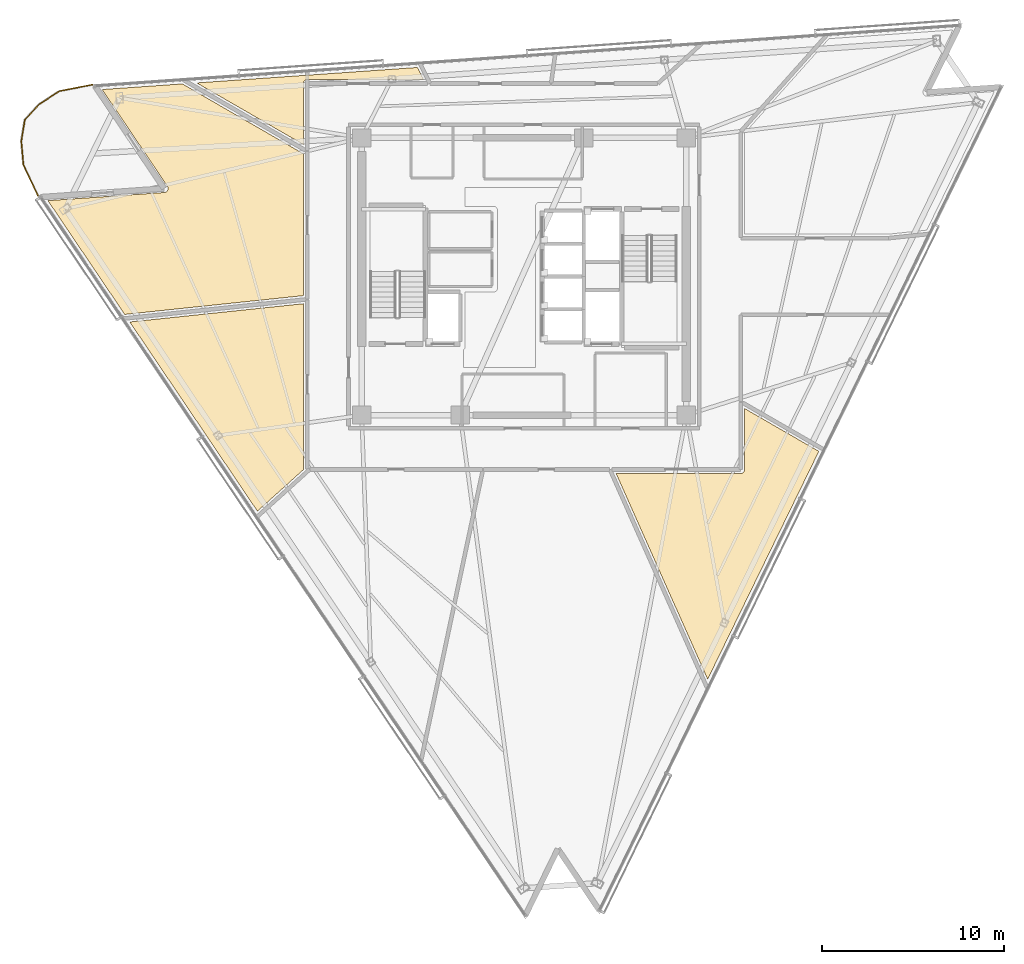
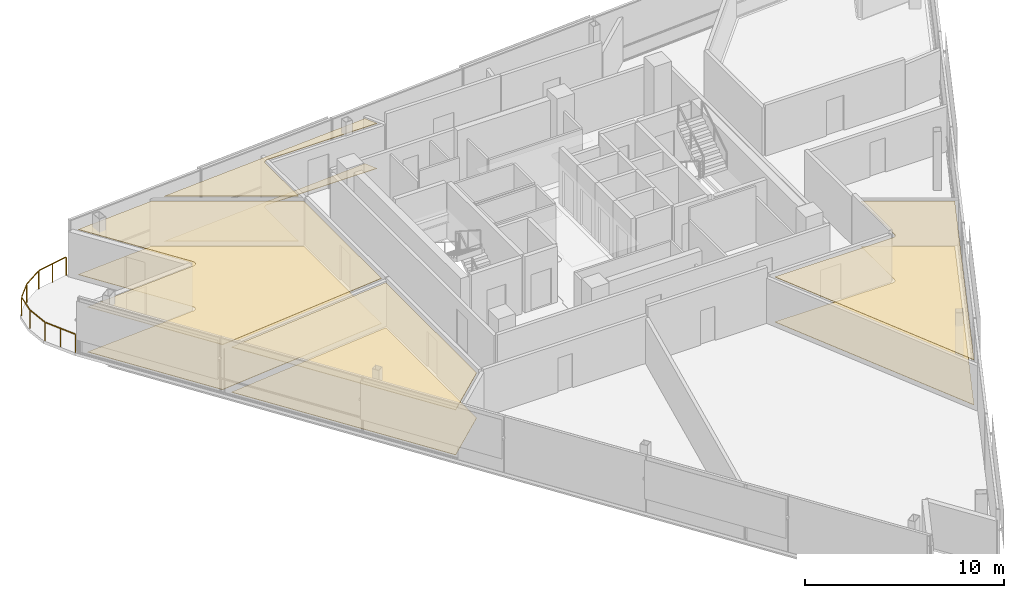
# One storey, part 14 of 16: 8 coverings, 1 railing.
"""IFC4 building model written with IfcOpenShell, lengths in metres."""

from ifc_helpers import new_model, si_unit, direction, frame, origin, origin_2d, place, context, subcontext, project, spatial, polyline, rectangle, outline, extrude, material, layer, layer_set, type_object, element, save


model = new_model("IFC4")

# Units and contexts
model_context = context("Model", 3, precision=1e-05, world=origin(), true_north=direction((0.0, 1.0)))
body_context = subcontext(model_context, "Body", "Model", "MODEL_VIEW")
ifc_project = project(units=[si_unit("LENGTHUNIT", "METRE"), si_unit("AREAUNIT", "SQUARE_METRE"), si_unit("VOLUMEUNIT", "CUBIC_METRE"), si_unit("PLANEANGLEUNIT", "RADIAN"), si_unit("MASSUNIT", "GRAM", prefix="KILO")], contexts=[model_context])

# Site, building, storey
site_placement = place(None, origin())
site = spatial("IfcSite", under=ifc_project, at=site_placement, CompositionType="ELEMENT")
building_placement = place(site_placement, origin())
building = spatial("IfcBuilding", under=site, at=building_placement, Name="Tharavind Bronze Gate", CompositionType="ELEMENT")
storey_placement = place(building_placement, frame((0.0, 0.0, 260.60009765625)))
storey = spatial("IfcBuildingStorey", under=building, at=storey_placement, Name="L67", CompositionType="ELEMENT", Elevation=260.60009765625)

# Coverings
ifc_material_1 = material(Name="Perforated Bronze Acoustic Panel", Category="bronze")
ifc_layer_1 = layer(ifc_material_1, 0.044921875)
ifc_layer_set_1 = layer_set([ifc_layer_1], Name="Perforated Bronze Acoustic Panel")
covering_type_1 = type_object("IfcCoveringType", Name="ACOUSTIC BRONZE BAFFLE CEILING", PredefinedType="CEILING", material=ifc_layer_set_1)
covering_1_placement = place(storey_placement, frame((0.0, 0.0, 2.75)))
element("IfcCovering", 1, at=covering_1_placement, inside=storey, type_object=covering_type_1, Name="L67-RM-04 suspended ceiling", PredefinedType="CEILING", context=body_context, shape_type="SweptSolid", body=[
    extrude(outline(polyline([(-12.10009765625, 7.239990234375), (-12.10009765625, 10.579345703125), (-12.099609375, 10.590087890625), (-12.099609375, 10.5908203125), (-12.09765625, 10.6123046875), (-12.093505859375, 10.63330078125), (-12.087158203125, 10.654052734375), (-12.078857421875, 10.674072265625), (-12.068603515625, 10.693115234375), (-12.056640625, 10.7109375), (-12.04296875, 10.727783203125), (-12.027587890625, 10.742919921875), (-12.010986328125, 10.756591796875), (-11.9931640625, 10.768798828125), (-11.97412109375, 10.77880859375), (-11.9541015625, 10.787109375), (-11.933349609375, 10.79345703125), (-11.912353515625, 10.797607421875), (-11.890869140625, 10.7998046875), (-11.89013671875, 10.7998046875), (-11.87939453125, 10.800048828125), (-5.51220703125, 10.800048828125), (-5.83544921875, 11.46240234375), (-17.94677734375, 10.615478515625), (-12.10009765625, 7.239990234375)])), origin(), (0.0, 0.0, 1.0), 0.034912109375),
])
covering_2_placement = place(storey_placement, frame((0.0, 0.0, 2.75)))
element("IfcCovering", 2, at=covering_2_placement, inside=storey, type_object=covering_type_1, Name="L67-RM-09 suspended ceiling", PredefinedType="CEILING", context=body_context, shape_type="SweptSolid", body=[
    extrude(outline(polyline([(10.072998046875, -22.083251953125), (16.167236328125, -9.588134765625), (12.10009765625, -7.239990234375), (12.10009765625, -10.579345703125), (12.099609375, -10.590087890625), (12.099609375, -10.5908203125), (12.09765625, -10.6123046875), (12.093505859375, -10.63330078125), (12.087158203125, -10.654052734375), (12.078857421875, -10.674072265625), (12.068603515625, -10.693115234375), (12.056640625, -10.7109375), (12.04296875, -10.727783203125), (12.027587890625, -10.742919921875), (12.010986328125, -10.756591796875), (11.9931640625, -10.768798828125), (11.97412109375, -10.77880859375), (11.9541015625, -10.787109375), (11.933349609375, -10.79345703125), (11.912353515625, -10.797607421875), (11.890869140625, -10.7998046875), (11.89013671875, -10.7998046875), (11.87939453125, -10.800048828125), (5.04931640625, -10.800048828125), (10.072998046875, -22.083251953125)])), origin(), (0.0, 0.0, 1.0), 0.034912109375),
])
ifc_material_2 = material(Name="Engineered Oak & Carpet Tile", Category="wood")
ifc_layer_2 = layer(ifc_material_2, 0.02490234375)
ifc_layer_set_2 = layer_set([ifc_layer_2], Name="Engineered Oak & Carpet Tile")
covering_type_2 = type_object("IfcCoveringType", Name="ENGINEERED TIMBER FLOORING", PredefinedType="FLOORING", material=ifc_layer_set_2)
covering_3_placement = place(storey_placement, origin())
element("IfcCovering", 3, at=covering_3_placement, inside=storey, type_object=covering_type_2, Name="L67-RM-04 floor finish", PredefinedType="FLOORING", context=body_context, shape_type="SweptSolid", body=[
    extrude(outline(polyline([(-12.10009765625, 7.239990234375), (-12.10009765625, 10.579345703125), (-12.099609375, 10.590087890625), (-12.099609375, 10.5908203125), (-12.09765625, 10.6123046875), (-12.093505859375, 10.63330078125), (-12.087158203125, 10.654052734375), (-12.078857421875, 10.674072265625), (-12.068603515625, 10.693115234375), (-12.056640625, 10.7109375), (-12.04296875, 10.727783203125), (-12.027587890625, 10.742919921875), (-12.010986328125, 10.756591796875), (-11.9931640625, 10.768798828125), (-11.97412109375, 10.77880859375), (-11.9541015625, 10.787109375), (-11.933349609375, 10.79345703125), (-11.912353515625, 10.797607421875), (-11.890869140625, 10.7998046875), (-11.89013671875, 10.7998046875), (-11.87939453125, 10.800048828125), (-5.51220703125, 10.800048828125), (-5.83544921875, 11.46240234375), (-17.94677734375, 10.615478515625), (-12.10009765625, 7.239990234375)])), origin(), (0.0, 0.0, 1.0), 0.02490234375),
])
covering_4_placement = place(storey_placement, origin())
element("IfcCovering", 4, at=covering_4_placement, inside=storey, type_object=covering_type_2, Name="L67-RM-05 floor finish", PredefinedType="FLOORING", context=body_context, shape_type="SweptSolid", body=[
    extrude(outline(polyline([(-21.89404296875, -2.080078125), (-12.10009765625, -1.050537109375), (-12.10009765625, 6.73193359375), (-18.731689453125, 10.560791015625), (-23.13037109375, 10.253173828125), (-19.552490234375, 4.94873046875), (-19.546630859375, 4.939453125), (-19.54638671875, 4.93896484375), (-19.535888671875, 4.919677734375), (-19.52734375, 4.8994140625), (-19.52099609375, 4.87841796875), (-19.516845703125, 4.85693359375), (-19.514892578125, 4.835205078125), (-19.514892578125, 4.813232421875), (-19.51708984375, 4.79150390625), (-19.521484375, 4.77001953125), (-19.5283203125, 4.7490234375), (-19.536865234375, 4.728759765625), (-19.54736328125, 4.709716796875), (-19.559814453125, 4.69140625), (-19.573974609375, 4.6748046875), (-19.58984375, 4.65966796875), (-19.60693359375, 4.64599609375), (-19.62548828125, 4.63427734375), (-19.64501953125, 4.624267578125), (-19.66552734375, 4.6162109375), (-19.686767578125, 4.610595703125), (-19.708251953125, 4.606689453125), (-19.708984375, 4.606689453125), (-19.7197265625, 4.605712890625), (-26.1025390625, 4.1591796875), (-21.89404296875, -2.080078125)])), origin(), (0.0, 0.0, 1.0), 0.02490234375),
])
covering_5_placement = place(storey_placement, origin())
element("IfcCovering", 5, at=covering_5_placement, inside=storey, type_object=covering_type_2, Name="L67-RM-06 floor finish", PredefinedType="FLOORING", context=body_context, shape_type="SweptSolid", body=[
    extrude(outline(polyline([(-14.618408203125, -12.866455078125), (-12.09912109375, -10.597900390625), (-12.099609375, -10.5908203125), (-12.099609375, -10.590087890625), (-12.10009765625, -10.579345703125), (-12.10009765625, -1.492919921875), (-21.615478515625, -2.4931640625), (-14.618408203125, -12.866455078125)])), origin(), (0.0, 0.0, 1.0), 0.02490234375),
])
ifc_material_3 = material(Name="Acoustic Gypsum Board", Category="gypsum")
ifc_layer_3 = layer(ifc_material_3, 0.030029296875)
ifc_layer_set_3 = layer_set([ifc_layer_3], Name="Acoustic Gypsum Board")
covering_type_3 = type_object("IfcCoveringType", Name="GYPSUM SUSPENDED CEILING", PredefinedType="CEILING", material=ifc_layer_set_3)
covering_6_placement = place(storey_placement, frame((0.0, 0.0, 2.75)))
element("IfcCovering", 6, at=covering_6_placement, inside=storey, type_object=covering_type_3, Name="L67-RM-05 suspended ceiling", PredefinedType="CEILING", context=body_context, shape_type="SweptSolid", body=[
    extrude(outline(polyline([(-21.89404296875, -2.080078125), (-12.10009765625, -1.050537109375), (-12.10009765625, 6.73193359375), (-18.731689453125, 10.560791015625), (-23.13037109375, 10.253173828125), (-19.552490234375, 4.94873046875), (-19.546630859375, 4.939453125), (-19.54638671875, 4.93896484375), (-19.535888671875, 4.919677734375), (-19.52734375, 4.8994140625), (-19.52099609375, 4.87841796875), (-19.516845703125, 4.85693359375), (-19.514892578125, 4.835205078125), (-19.514892578125, 4.813232421875), (-19.51708984375, 4.79150390625), (-19.521484375, 4.77001953125), (-19.5283203125, 4.7490234375), (-19.536865234375, 4.728759765625), (-19.54736328125, 4.709716796875), (-19.559814453125, 4.69140625), (-19.573974609375, 4.6748046875), (-19.58984375, 4.65966796875), (-19.60693359375, 4.64599609375), (-19.62548828125, 4.63427734375), (-19.64501953125, 4.624267578125), (-19.66552734375, 4.6162109375), (-19.686767578125, 4.610595703125), (-19.708251953125, 4.606689453125), (-19.708984375, 4.606689453125), (-19.7197265625, 4.605712890625), (-26.1025390625, 4.1591796875), (-21.89404296875, -2.080078125)])), origin(), (0.0, 0.0, 1.0), 0.034912109375),
])
covering_7_placement = place(storey_placement, frame((0.0, 0.0, 2.75)))
element("IfcCovering", 7, at=covering_7_placement, inside=storey, type_object=covering_type_3, Name="L67-RM-06 suspended ceiling", PredefinedType="CEILING", context=body_context, shape_type="SweptSolid", body=[
    extrude(outline(polyline([(-14.618408203125, -12.866455078125), (-12.09912109375, -10.597900390625), (-12.099609375, -10.5908203125), (-12.099609375, -10.590087890625), (-12.10009765625, -10.579345703125), (-12.10009765625, -1.492919921875), (-21.615478515625, -2.4931640625), (-14.618408203125, -12.866455078125)])), origin(), (0.0, 0.0, 1.0), 0.034912109375),
])
ifc_material_4 = material(Name="Honed Travertine Limestone", Category="masonry")
ifc_layer_4 = layer(ifc_material_4, 0.030029296875)
ifc_layer_set_4 = layer_set([ifc_layer_4], Name="Honed Travertine Limestone")
covering_type_4 = type_object("IfcCoveringType", Name="HONED LIMESTONE FLOORING", PredefinedType="FLOORING", material=ifc_layer_set_4)
covering_8_placement = place(storey_placement, origin())
element("IfcCovering", 8, at=covering_8_placement, inside=storey, type_object=covering_type_4, Name="L67-RM-09 floor finish", PredefinedType="FLOORING", context=body_context, shape_type="SweptSolid", body=[
    extrude(outline(polyline([(10.072998046875, -22.083251953125), (16.167236328125, -9.588134765625), (12.10009765625, -7.239990234375), (12.10009765625, -10.579345703125), (12.099609375, -10.590087890625), (12.099609375, -10.5908203125), (12.09765625, -10.6123046875), (12.093505859375, -10.63330078125), (12.087158203125, -10.654052734375), (12.078857421875, -10.674072265625), (12.068603515625, -10.693115234375), (12.056640625, -10.7109375), (12.04296875, -10.727783203125), (12.027587890625, -10.742919921875), (12.010986328125, -10.756591796875), (11.9931640625, -10.768798828125), (11.97412109375, -10.77880859375), (11.9541015625, -10.787109375), (11.933349609375, -10.79345703125), (11.912353515625, -10.797607421875), (11.890869140625, -10.7998046875), (11.89013671875, -10.7998046875), (11.87939453125, -10.800048828125), (5.04931640625, -10.800048828125), (10.072998046875, -22.083251953125)])), origin(), (0.0, 0.0, 1.0), 0.02490234375),
])

# Railing
ifc_material_5 = material(Name="Bronze Cap & Laminated Glass", Category="glass")
railing_type = type_object("IfcRailingType", Name="TERRACE GLASS GUARD RAILING 1150", PredefinedType="GUARDRAIL", material=ifc_material_5)
railing_placement = place(storey_placement, frame((-26.641845703125, 4.42236328125, 0.0)))
element("IfcRailing", 9, at=railing_placement, inside=storey, type_object=railing_type, Name="L67 tree balcony guard railing", PredefinedType="GUARDRAIL", context=body_context, shape_type="SweptSolid", body=[
    extrude(rectangle(XDim=0.048095703125, YDim=0.048095703125, at=origin_2d()), frame((-0.013671875, 0.02880859375, 1.1259765625), z_axis=(-0.430751391527, 0.902470630379, 0.0), x_axis=(-0.902470630379, -0.430751391527, 0.0)), (0.0, 0.0, 1.0), 1.80126953125),
    extrude(rectangle(XDim=0.048095703125, YDim=0.048095703125, at=origin_2d()), frame((-0.806396484375, 1.71533203125, 1.1259765625), z_axis=(-0.089334965903, 0.996001638486, 0.0), x_axis=(-0.996001638486, -0.089334965903, 0.0)), (0.0, 0.0, 1.0), 1.255859375),
    extrude(rectangle(XDim=0.048095703125, YDim=0.048095703125, at=origin_2d()), frame((-0.916259765625, 3.029541015625, 1.1259765625), z_axis=(0.162720183317, 0.986672256599, 0.0), x_axis=(-0.986672256599, 0.162720183317, 0.0)), (0.0, 0.0, 1.0), 1.115234375),
    extrude(rectangle(XDim=0.048095703125, YDim=0.048095703125, at=origin_2d()), frame((-0.707763671875, 4.18505859375, 1.1259765625), z_axis=(0.677316588689, 0.735691673656, 0.0), x_axis=(-0.735691673656, 0.677316588689, 0.0)), (0.0, 0.0, 1.0), 1.115478515625),
    extrude(rectangle(XDim=0.048095703125, YDim=0.048095703125, at=origin_2d()), frame((0.09619140625, 5.046630859375, 1.1259765625), z_axis=(0.839847920102, 0.542821767342, 0.0), x_axis=(-0.542821767342, 0.839847920102, 0.0)), (0.0, 0.0, 1.0), 1.256103515625),
    extrude(rectangle(XDim=0.048095703125, YDim=0.048095703125, at=origin_2d()), frame((1.20947265625, 5.751953125, 1.1259765625), z_axis=(0.98171467538, 0.190358336157, 0.0), x_axis=(-0.190358336157, 0.98171467538, 0.0)), (0.0, 0.0, 1.0), 1.763671875),
    extrude(rectangle(XDim=0.0400390625, YDim=0.0400390625, at=origin_2d()), origin(), (0.0, 0.0, 1.0), 1.097900390625),
    extrude(rectangle(XDim=0.0400390625, YDim=0.0400390625, at=origin_2d()), frame((-0.40185546875, 0.841796875, 0.0)), (0.0, 0.0, 1.0), 1.097900390625),
    extrude(rectangle(XDim=0.0400390625, YDim=0.0400390625, at=origin_2d()), frame((-0.803466796875, 1.683349609375, 0.0)), (0.0, 0.0, 1.0), 1.097900390625),
    extrude(rectangle(XDim=0.0400390625, YDim=0.0400390625, at=origin_2d()), frame((-0.92138671875, 2.998046875, 0.0)), (0.0, 0.0, 1.0), 1.097900390625),
    extrude(rectangle(XDim=0.0400390625, YDim=0.0400390625, at=origin_2d()), frame((-0.7294921875, 4.16162109375, 0.0)), (0.0, 0.0, 1.0), 1.097900390625),
    extrude(rectangle(XDim=0.0400390625, YDim=0.0400390625, at=origin_2d()), frame((0.0693359375, 5.029296875, 0.0)), (0.0, 0.0, 1.0), 1.097900390625),
    extrude(rectangle(XDim=0.0400390625, YDim=0.0400390625, at=origin_2d()), frame((1.177978515625, 5.745849609375, 0.0)), (0.0, 0.0, 1.0), 1.097900390625),
    extrude(rectangle(XDim=0.0400390625, YDim=0.0400390625, at=origin_2d()), frame((2.0751953125, 5.919921875, 0.0)), (0.0, 0.0, 1.0), 1.097900390625),
    extrude(rectangle(XDim=0.0400390625, YDim=0.0400390625, at=origin_2d()), frame((2.97216796875, 6.09375, 0.0)), (0.0, 0.0, 1.0), 1.097900390625),
])

save(model, "model.ifc")
